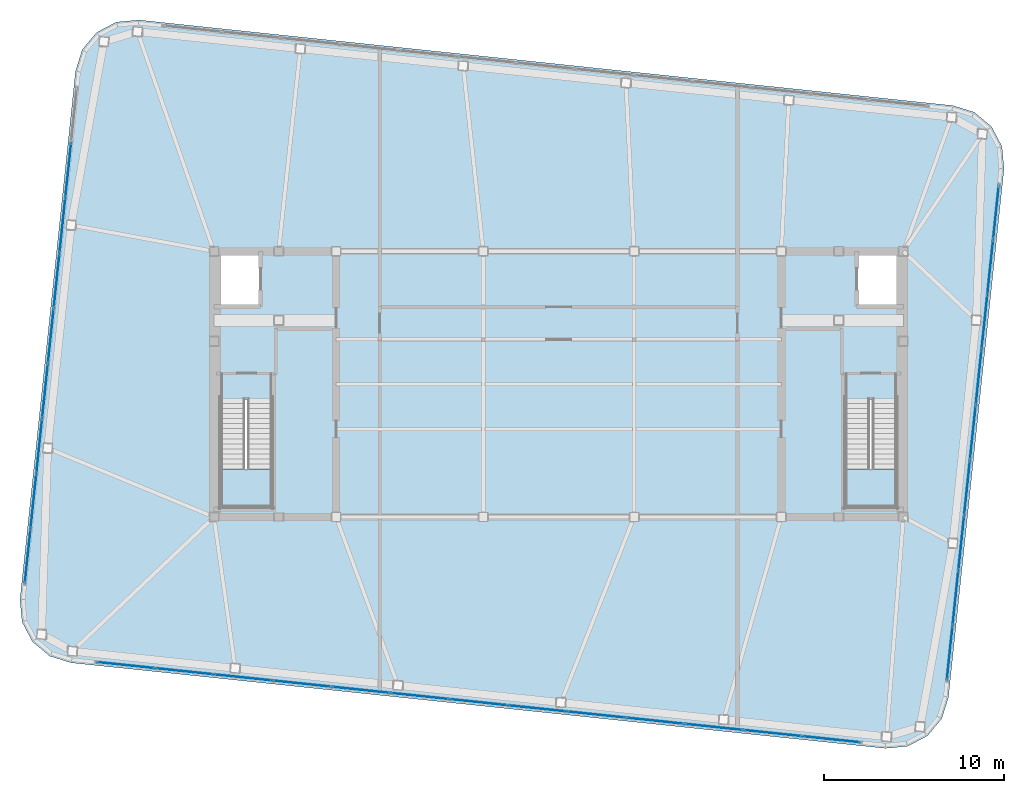
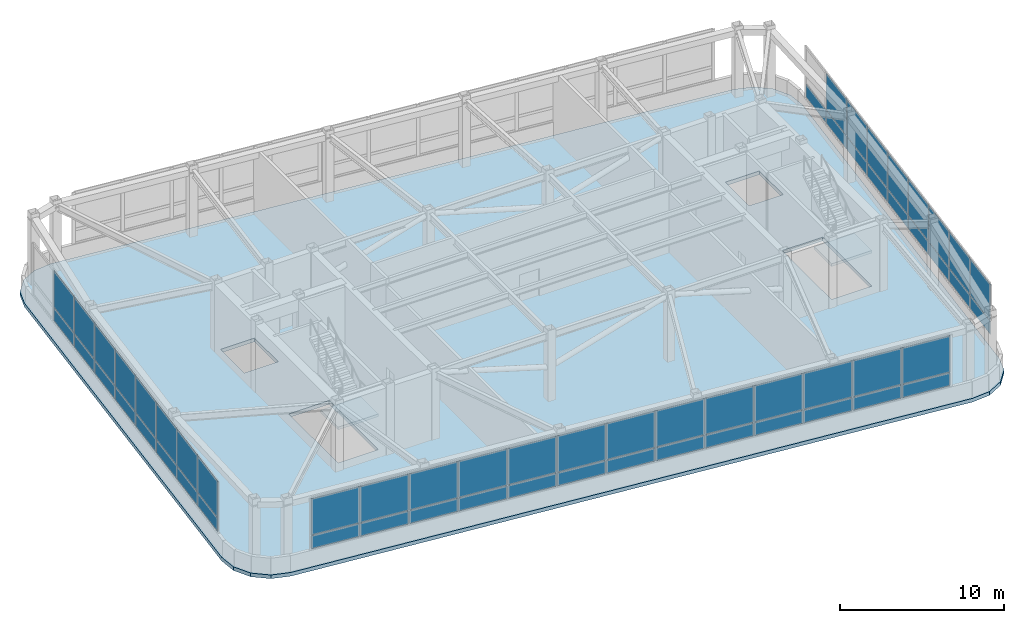
# One storey, part 18 of 23: 59 plates, 3 slabs, 5 elements without a shape of their own.
"""IFC4 building model written with IfcOpenShell, lengths in metres."""

from ifc_helpers import new_model, si_unit, direction, frame, origin, origin_2d, place, context, subcontext, project, spatial, polyline, rectangle, outline, extrude, material, layer, layer_set, type_object, element, aggregate, save


model = new_model("IFC4")

# Units and contexts
model_context = context("Model", 3, precision=1e-05, world=origin(), true_north=direction((0.0, 1.0)))
body_context = subcontext(model_context, "Body", "Model", "MODEL_VIEW")
ifc_project = project(units=[si_unit("LENGTHUNIT", "METRE"), si_unit("AREAUNIT", "SQUARE_METRE"), si_unit("VOLUMEUNIT", "CUBIC_METRE"), si_unit("PLANEANGLEUNIT", "RADIAN"), si_unit("MASSUNIT", "GRAM", prefix="KILO")], contexts=[model_context])

# Site, building, storey
site_placement = place(None, origin())
site = spatial("IfcSite", under=ifc_project, at=site_placement, CompositionType="ELEMENT")
building_placement = place(site_placement, origin())
building = spatial("IfcBuilding", under=site, at=building_placement, Name="Voryun Gate Residences", CompositionType="ELEMENT")
storey_placement = place(building_placement, frame((0.0, 0.0, 321.300048828125)))
storey = spatial("IfcBuildingStorey", under=building, at=storey_placement, Name="L79", CompositionType="ELEMENT", Elevation=321.300048828125)

# Curtain wall, plates
ifc_material_1 = material(Name="Anodised aluminium", Category="aluminium")
ifc_layer_1 = layer(ifc_material_1, 0.22998046875, Name="CW_SYS_LANTERN_DARK_GLASS")
ifc_layer_set_1 = layer_set([ifc_layer_1], Name="Anodised aluminium")
curtain_wall_type = type_object("IfcCurtainWallType", Name="CW_SYS_LANTERN_DARK_GLASS", PredefinedType="NOTDEFINED", material=ifc_layer_set_1)
curtain_wall_1_placement = place(storey_placement, origin())
curtain_wall_1 = element("IfcCurtainWall", 1, at=curtain_wall_1_placement, inside=storey, type_object=curtain_wall_type, Name="Curtain wall CW6-L79-01", PredefinedType="NOTDEFINED")
ifc_material_2 = material(Name="Fritted lantern glass", Category="glass")
ifc_layer_2 = layer(ifc_material_2, 0.050048828125, Name="PLT_GLASS_FRIT_LANTERN")
ifc_layer_set_2 = layer_set([ifc_layer_2], Name="Fritted lantern glass")
plate_type = type_object("IfcPlateType", Name="PLT_GLASS_FRIT_LANTERN", PredefinedType="CURTAIN_PANEL", material=ifc_layer_set_2)
plate_1_placement = place(storey_placement, frame((15.18212890625, -19.787109375, 1.25), z_axis=(0.0, 0.0, 1.0), x_axis=(-0.994521969434, 0.10452775858, 0.0)))
plate_1 = element("IfcPlate", 2, at=plate_1_placement, type_object=plate_type, Name="CW6 panel 1.1", PredefinedType="CURTAIN_PANEL", context=body_context, shape_type="SweptSolid", body=[
    extrude(rectangle(XDim=3.20458984375, YDim=0.028076171875, at=origin_2d()), origin(), (0.0, 0.0, 1.0), 0.9599609375),
])
plate_2_placement = place(storey_placement, frame((15.18212890625, -19.787109375, 2.27001953125), z_axis=(0.0, 0.0, 1.0), x_axis=(-0.994521969434, 0.10452775858, 0.0)))
plate_2 = element("IfcPlate", 3, at=plate_2_placement, type_object=plate_type, Name="CW6 panel 1.2", PredefinedType="CURTAIN_PANEL", context=body_context, shape_type="SweptSolid", body=[
    extrude(rectangle(XDim=3.20458984375, YDim=0.028076171875, at=origin_2d()), origin(), (0.0, 0.0, 1.0), 2.695068359375),
])
plate_3_placement = place(storey_placement, frame((11.92041015625, -19.4443359375, 1.25), z_axis=(0.0, 0.0, 1.0), x_axis=(-0.994521969434, 0.10452775858, 0.0)))
plate_3 = element("IfcPlate", 4, at=plate_3_placement, type_object=plate_type, Name="CW6 panel 2.1", PredefinedType="CURTAIN_PANEL", context=body_context, shape_type="SweptSolid", body=[
    extrude(rectangle(XDim=3.234619140625, YDim=0.028076171875, at=origin_2d()), origin(), (0.0, 0.0, 1.0), 0.9599609375),
])
plate_4_placement = place(storey_placement, frame((11.92041015625, -19.4443359375, 2.27001953125), z_axis=(0.0, 0.0, 1.0), x_axis=(-0.994521969434, 0.10452775858, 0.0)))
plate_4 = element("IfcPlate", 5, at=plate_4_placement, type_object=plate_type, Name="CW6 panel 2.2", PredefinedType="CURTAIN_PANEL", context=body_context, shape_type="SweptSolid", body=[
    extrude(rectangle(XDim=3.234619140625, YDim=0.028076171875, at=origin_2d()), origin(), (0.0, 0.0, 1.0), 2.695068359375),
])
plate_5_placement = place(storey_placement, frame((8.643798828125, -19.099853515625, 1.25), z_axis=(0.0, 0.0, 1.0), x_axis=(-0.994521969434, 0.10452775858, 0.0)))
plate_5 = element("IfcPlate", 6, at=plate_5_placement, type_object=plate_type, Name="CW6 panel 3.1", PredefinedType="CURTAIN_PANEL", context=body_context, shape_type="SweptSolid", body=[
    extrude(rectangle(XDim=3.234619140625, YDim=0.028076171875, at=origin_2d()), origin(), (0.0, 0.0, 1.0), 0.9599609375),
])
plate_6_placement = place(storey_placement, frame((8.643798828125, -19.099853515625, 2.27001953125), z_axis=(0.0, 0.0, 1.0), x_axis=(-0.994521969434, 0.10452775858, 0.0)))
plate_6 = element("IfcPlate", 7, at=plate_6_placement, type_object=plate_type, Name="CW6 panel 3.2", PredefinedType="CURTAIN_PANEL", context=body_context, shape_type="SweptSolid", body=[
    extrude(rectangle(XDim=3.234619140625, YDim=0.028076171875, at=origin_2d()), origin(), (0.0, 0.0, 1.0), 2.695068359375),
])
plate_7_placement = place(storey_placement, frame((5.3671875, -18.755615234375, 1.25), z_axis=(0.0, 0.0, 1.0), x_axis=(-0.994521969434, 0.10452775858, 0.0)))
plate_7 = element("IfcPlate", 8, at=plate_7_placement, type_object=plate_type, Name="CW6 panel 4.1", PredefinedType="CURTAIN_PANEL", context=body_context, shape_type="SweptSolid", body=[
    extrude(rectangle(XDim=3.234619140625, YDim=0.028076171875, at=origin_2d()), origin(), (0.0, 0.0, 1.0), 0.9599609375),
])
plate_8_placement = place(storey_placement, frame((5.3671875, -18.755615234375, 2.27001953125), z_axis=(0.0, 0.0, 1.0), x_axis=(-0.994521969434, 0.10452775858, 0.0)))
plate_8 = element("IfcPlate", 9, at=plate_8_placement, type_object=plate_type, Name="CW6 panel 4.2", PredefinedType="CURTAIN_PANEL", context=body_context, shape_type="SweptSolid", body=[
    extrude(rectangle(XDim=3.234619140625, YDim=0.028076171875, at=origin_2d()), origin(), (0.0, 0.0, 1.0), 2.695068359375),
])
plate_9_placement = place(storey_placement, frame((2.090576171875, -18.4111328125, 1.25), z_axis=(0.0, 0.0, 1.0), x_axis=(-0.994521969434, 0.10452775858, 0.0)))
plate_9 = element("IfcPlate", 10, at=plate_9_placement, type_object=plate_type, Name="CW6 panel 5.1", PredefinedType="CURTAIN_PANEL", context=body_context, shape_type="SweptSolid", body=[
    extrude(rectangle(XDim=3.234619140625, YDim=0.028076171875, at=origin_2d()), origin(), (0.0, 0.0, 1.0), 0.9599609375),
])
plate_10_placement = place(storey_placement, frame((2.090576171875, -18.4111328125, 2.27001953125), z_axis=(0.0, 0.0, 1.0), x_axis=(-0.994521969434, 0.10452775858, 0.0)))
plate_10 = element("IfcPlate", 11, at=plate_10_placement, type_object=plate_type, Name="CW6 panel 5.2", PredefinedType="CURTAIN_PANEL", context=body_context, shape_type="SweptSolid", body=[
    extrude(rectangle(XDim=3.234619140625, YDim=0.028076171875, at=origin_2d()), origin(), (0.0, 0.0, 1.0), 2.695068359375),
])
plate_11_placement = place(storey_placement, frame((-1.18603515625, -18.06689453125, 1.25), z_axis=(0.0, 0.0, 1.0), x_axis=(-0.994521969434, 0.10452775858, 0.0)))
plate_11 = element("IfcPlate", 12, at=plate_11_placement, type_object=plate_type, Name="CW6 panel 6.1", PredefinedType="CURTAIN_PANEL", context=body_context, shape_type="SweptSolid", body=[
    extrude(rectangle(XDim=3.234619140625, YDim=0.028076171875, at=origin_2d()), origin(), (0.0, 0.0, 1.0), 0.9599609375),
])
plate_12_placement = place(storey_placement, frame((-1.18603515625, -18.06689453125, 2.27001953125), z_axis=(0.0, 0.0, 1.0), x_axis=(-0.994521969434, 0.10452775858, 0.0)))
plate_12 = element("IfcPlate", 13, at=plate_12_placement, type_object=plate_type, Name="CW6 panel 6.2", PredefinedType="CURTAIN_PANEL", context=body_context, shape_type="SweptSolid", body=[
    extrude(rectangle(XDim=3.234619140625, YDim=0.028076171875, at=origin_2d()), origin(), (0.0, 0.0, 1.0), 2.695068359375),
])
plate_13_placement = place(storey_placement, frame((-4.462646484375, -17.722412109375, 1.25), z_axis=(0.0, 0.0, 1.0), x_axis=(-0.994521969434, 0.10452775858, 0.0)))
plate_13 = element("IfcPlate", 14, at=plate_13_placement, type_object=plate_type, Name="CW6 panel 7.1", PredefinedType="CURTAIN_PANEL", context=body_context, shape_type="SweptSolid", body=[
    extrude(rectangle(XDim=3.234619140625, YDim=0.028076171875, at=origin_2d()), origin(), (0.0, 0.0, 1.0), 0.9599609375),
])
plate_14_placement = place(storey_placement, frame((-4.462646484375, -17.722412109375, 2.27001953125), z_axis=(0.0, 0.0, 1.0), x_axis=(-0.994521969434, 0.10452775858, 0.0)))
plate_14 = element("IfcPlate", 15, at=plate_14_placement, type_object=plate_type, Name="CW6 panel 7.2", PredefinedType="CURTAIN_PANEL", context=body_context, shape_type="SweptSolid", body=[
    extrude(rectangle(XDim=3.234619140625, YDim=0.028076171875, at=origin_2d()), origin(), (0.0, 0.0, 1.0), 2.695068359375),
])
plate_15_placement = place(storey_placement, frame((-7.7392578125, -17.3779296875, 1.25), z_axis=(0.0, 0.0, 1.0), x_axis=(-0.994521969434, 0.10452775858, 0.0)))
plate_15 = element("IfcPlate", 16, at=plate_15_placement, type_object=plate_type, Name="CW6 panel 8.1", PredefinedType="CURTAIN_PANEL", context=body_context, shape_type="SweptSolid", body=[
    extrude(rectangle(XDim=3.234619140625, YDim=0.028076171875, at=origin_2d()), origin(), (0.0, 0.0, 1.0), 0.9599609375),
])
plate_16_placement = place(storey_placement, frame((-7.7392578125, -17.3779296875, 2.27001953125), z_axis=(0.0, 0.0, 1.0), x_axis=(-0.994521969434, 0.10452775858, 0.0)))
plate_16 = element("IfcPlate", 17, at=plate_16_placement, type_object=plate_type, Name="CW6 panel 8.2", PredefinedType="CURTAIN_PANEL", context=body_context, shape_type="SweptSolid", body=[
    extrude(rectangle(XDim=3.234619140625, YDim=0.028076171875, at=origin_2d()), origin(), (0.0, 0.0, 1.0), 2.695068359375),
])
plate_17_placement = place(storey_placement, frame((-11.015869140625, -17.03369140625, 1.25), z_axis=(0.0, 0.0, 1.0), x_axis=(-0.994521969434, 0.10452775858, 0.0)))
plate_17 = element("IfcPlate", 18, at=plate_17_placement, type_object=plate_type, Name="CW6 panel 9.1", PredefinedType="CURTAIN_PANEL", context=body_context, shape_type="SweptSolid", body=[
    extrude(rectangle(XDim=3.234619140625, YDim=0.028076171875, at=origin_2d()), origin(), (0.0, 0.0, 1.0), 0.9599609375),
])
plate_18_placement = place(storey_placement, frame((-11.015869140625, -17.03369140625, 2.27001953125), z_axis=(0.0, 0.0, 1.0), x_axis=(-0.994521969434, 0.10452775858, 0.0)))
plate_18 = element("IfcPlate", 19, at=plate_18_placement, type_object=plate_type, Name="CW6 panel 9.2", PredefinedType="CURTAIN_PANEL", context=body_context, shape_type="SweptSolid", body=[
    extrude(rectangle(XDim=3.234619140625, YDim=0.028076171875, at=origin_2d()), origin(), (0.0, 0.0, 1.0), 2.695068359375),
])
plate_19_placement = place(storey_placement, frame((-14.29248046875, -16.689208984375, 1.25), z_axis=(0.0, 0.0, 1.0), x_axis=(-0.994521969434, 0.10452775858, 0.0)))
plate_19 = element("IfcPlate", 20, at=plate_19_placement, type_object=plate_type, Name="CW6 panel 10.1", PredefinedType="CURTAIN_PANEL", context=body_context, shape_type="SweptSolid", body=[
    extrude(rectangle(XDim=3.234619140625, YDim=0.028076171875, at=origin_2d()), origin(), (0.0, 0.0, 1.0), 0.9599609375),
])
plate_20_placement = place(storey_placement, frame((-14.29248046875, -16.689208984375, 2.27001953125), z_axis=(0.0, 0.0, 1.0), x_axis=(-0.994521969434, 0.10452775858, 0.0)))
plate_20 = element("IfcPlate", 21, at=plate_20_placement, type_object=plate_type, Name="CW6 panel 10.2", PredefinedType="CURTAIN_PANEL", context=body_context, shape_type="SweptSolid", body=[
    extrude(rectangle(XDim=3.234619140625, YDim=0.028076171875, at=origin_2d()), origin(), (0.0, 0.0, 1.0), 2.695068359375),
])
plate_21_placement = place(storey_placement, frame((-17.569091796875, -16.344970703125, 1.25), z_axis=(0.0, 0.0, 1.0), x_axis=(-0.994521969434, 0.10452775858, 0.0)))
plate_21 = element("IfcPlate", 22, at=plate_21_placement, type_object=plate_type, Name="CW6 panel 11.1", PredefinedType="CURTAIN_PANEL", context=body_context, shape_type="SweptSolid", body=[
    extrude(rectangle(XDim=3.234619140625, YDim=0.028076171875, at=origin_2d()), origin(), (0.0, 0.0, 1.0), 0.9599609375),
])
plate_22_placement = place(storey_placement, frame((-17.569091796875, -16.344970703125, 2.27001953125), z_axis=(0.0, 0.0, 1.0), x_axis=(-0.994521969434, 0.10452775858, 0.0)))
plate_22 = element("IfcPlate", 23, at=plate_22_placement, type_object=plate_type, Name="CW6 panel 11.2", PredefinedType="CURTAIN_PANEL", context=body_context, shape_type="SweptSolid", body=[
    extrude(rectangle(XDim=3.234619140625, YDim=0.028076171875, at=origin_2d()), origin(), (0.0, 0.0, 1.0), 2.695068359375),
])
plate_23_placement = place(storey_placement, frame((-20.845703125, -16.00048828125, 1.25), z_axis=(0.0, 0.0, 1.0), x_axis=(-0.994521969434, 0.10452775858, 0.0)))
plate_23 = element("IfcPlate", 24, at=plate_23_placement, type_object=plate_type, Name="CW6 panel 12.1", PredefinedType="CURTAIN_PANEL", context=body_context, shape_type="SweptSolid", body=[
    extrude(rectangle(XDim=3.234619140625, YDim=0.028076171875, at=origin_2d()), origin(), (0.0, 0.0, 1.0), 0.9599609375),
])
plate_24_placement = place(storey_placement, frame((-20.845703125, -16.00048828125, 2.27001953125), z_axis=(0.0, 0.0, 1.0), x_axis=(-0.994521969434, 0.10452775858, 0.0)))
plate_24 = element("IfcPlate", 25, at=plate_24_placement, type_object=plate_type, Name="CW6 panel 12.2", PredefinedType="CURTAIN_PANEL", context=body_context, shape_type="SweptSolid", body=[
    extrude(rectangle(XDim=3.234619140625, YDim=0.028076171875, at=origin_2d()), origin(), (0.0, 0.0, 1.0), 2.695068359375),
])
plate_25_placement = place(storey_placement, frame((-24.107421875, -15.65771484375, 1.25), z_axis=(0.0, 0.0, 1.0), x_axis=(-0.994521969434, 0.10452775858, 0.0)))
plate_25 = element("IfcPlate", 26, at=plate_25_placement, type_object=plate_type, Name="CW6 panel 13.1", PredefinedType="CURTAIN_PANEL", context=body_context, shape_type="SweptSolid", body=[
    extrude(rectangle(XDim=3.20458984375, YDim=0.028076171875, at=origin_2d()), origin(), (0.0, 0.0, 1.0), 0.9599609375),
])
plate_26_placement = place(storey_placement, frame((-24.107421875, -15.65771484375, 2.27001953125), z_axis=(0.0, 0.0, 1.0), x_axis=(-0.994521969434, 0.10452775858, 0.0)))
plate_26 = element("IfcPlate", 27, at=plate_26_placement, type_object=plate_type, Name="CW6 panel 13.2", PredefinedType="CURTAIN_PANEL", context=body_context, shape_type="SweptSolid", body=[
    extrude(rectangle(XDim=3.20458984375, YDim=0.028076171875, at=origin_2d()), origin(), (0.0, 0.0, 1.0), 2.695068359375),
])
aggregate(curtain_wall_1, [plate_1, plate_2, plate_3, plate_4, plate_5, plate_6, plate_7, plate_8, plate_9, plate_10, plate_11, plate_12, plate_13, plate_14, plate_15, plate_16, plate_17, plate_18, plate_19, plate_20, plate_21, plate_22, plate_23, plate_24, plate_25, plate_26])

curtain_wall_2_placement = place(storey_placement, origin())
curtain_wall_2 = element("IfcCurtainWall", 28, at=curtain_wall_2_placement, inside=storey, type_object=curtain_wall_type, Name="Curtain wall CW6-L79-06", PredefinedType="NOTDEFINED")
plate_27_placement = place(storey_placement, frame((-29.568115234375, -9.56982421875, 1.25), z_axis=(0.0, 0.0, 1.0), x_axis=(0.104528004296, 0.994521943608, 0.0)))
plate_27 = element("IfcPlate", 29, at=plate_27_placement, type_object=plate_type, Name="CW6 panel 1.1", PredefinedType="CURTAIN_PANEL", context=body_context, shape_type="SweptSolid", body=[
    extrude(rectangle(XDim=2.997802734375, YDim=0.028076171875, at=origin_2d()), origin(), (0.0, 0.0, 1.0), 0.9599609375),
])
plate_28_placement = place(storey_placement, frame((-29.568115234375, -9.56982421875, 2.27001953125), z_axis=(0.0, 0.0, 1.0), x_axis=(0.104528004296, 0.994521943608, 0.0)))
plate_28 = element("IfcPlate", 30, at=plate_28_placement, type_object=plate_type, Name="CW6 panel 1.2", PredefinedType="CURTAIN_PANEL", context=body_context, shape_type="SweptSolid", body=[
    extrude(rectangle(XDim=2.997802734375, YDim=0.028076171875, at=origin_2d()), origin(), (0.0, 0.0, 1.0), 2.695068359375),
])
plate_29_placement = place(storey_placement, frame((-29.246826171875, -6.513916015625, 1.25), z_axis=(0.0, 0.0, 1.0), x_axis=(0.104528004296, 0.994521943608, 0.0)))
plate_29 = element("IfcPlate", 31, at=plate_29_placement, type_object=plate_type, Name="CW6 panel 2.1", PredefinedType="CURTAIN_PANEL", context=body_context, shape_type="SweptSolid", body=[
    extrude(rectangle(XDim=3.02783203125, YDim=0.028076171875, at=origin_2d()), origin(), (0.0, 0.0, 1.0), 0.9599609375),
])
plate_30_placement = place(storey_placement, frame((-29.246826171875, -6.513916015625, 2.27001953125), z_axis=(0.0, 0.0, 1.0), x_axis=(0.104528004296, 0.994521943608, 0.0)))
plate_30 = element("IfcPlate", 32, at=plate_30_placement, type_object=plate_type, Name="CW6 panel 2.2", PredefinedType="CURTAIN_PANEL", context=body_context, shape_type="SweptSolid", body=[
    extrude(rectangle(XDim=3.02783203125, YDim=0.028076171875, at=origin_2d()), origin(), (0.0, 0.0, 1.0), 2.695068359375),
])
plate_31_placement = place(storey_placement, frame((-28.924072265625, -3.44287109375, 1.25), z_axis=(0.0, 0.0, 1.0), x_axis=(0.104528004296, 0.994521943608, 0.0)))
plate_31 = element("IfcPlate", 33, at=plate_31_placement, type_object=plate_type, Name="CW6 panel 3.1", PredefinedType="CURTAIN_PANEL", context=body_context, shape_type="SweptSolid", body=[
    extrude(rectangle(XDim=3.02783203125, YDim=0.028076171875, at=origin_2d()), origin(), (0.0, 0.0, 1.0), 0.9599609375),
])
plate_32_placement = place(storey_placement, frame((-28.924072265625, -3.44287109375, 2.27001953125), z_axis=(0.0, 0.0, 1.0), x_axis=(0.104528004296, 0.994521943608, 0.0)))
plate_32 = element("IfcPlate", 34, at=plate_32_placement, type_object=plate_type, Name="CW6 panel 3.2", PredefinedType="CURTAIN_PANEL", context=body_context, shape_type="SweptSolid", body=[
    extrude(rectangle(XDim=3.02783203125, YDim=0.028076171875, at=origin_2d()), origin(), (0.0, 0.0, 1.0), 2.695068359375),
])
plate_33_placement = place(storey_placement, frame((-28.601318359375, -0.3720703125, 1.25), z_axis=(0.0, 0.0, 1.0), x_axis=(0.104528004296, 0.994521943608, 0.0)))
plate_33 = element("IfcPlate", 35, at=plate_33_placement, type_object=plate_type, Name="CW6 panel 4.1", PredefinedType="CURTAIN_PANEL", context=body_context, shape_type="SweptSolid", body=[
    extrude(rectangle(XDim=3.02783203125, YDim=0.028076171875, at=origin_2d()), origin(), (0.0, 0.0, 1.0), 0.9599609375),
])
plate_34_placement = place(storey_placement, frame((-28.601318359375, -0.3720703125, 2.27001953125), z_axis=(0.0, 0.0, 1.0), x_axis=(0.104528004296, 0.994521943608, 0.0)))
plate_34 = element("IfcPlate", 36, at=plate_34_placement, type_object=plate_type, Name="CW6 panel 4.2", PredefinedType="CURTAIN_PANEL", context=body_context, shape_type="SweptSolid", body=[
    extrude(rectangle(XDim=3.02783203125, YDim=0.028076171875, at=origin_2d()), origin(), (0.0, 0.0, 1.0), 2.695068359375),
])
plate_35_placement = place(storey_placement, frame((-28.278564453125, 2.698974609375, 1.25), z_axis=(0.0, 0.0, 1.0), x_axis=(0.104528004296, 0.994521943608, 0.0)))
plate_35 = element("IfcPlate", 37, at=plate_35_placement, type_object=plate_type, Name="CW6 panel 5.1", PredefinedType="CURTAIN_PANEL", context=body_context, shape_type="SweptSolid", body=[
    extrude(rectangle(XDim=3.02783203125, YDim=0.028076171875, at=origin_2d()), origin(), (0.0, 0.0, 1.0), 0.9599609375),
])
plate_36_placement = place(storey_placement, frame((-28.278564453125, 2.698974609375, 2.27001953125), z_axis=(0.0, 0.0, 1.0), x_axis=(0.104528004296, 0.994521943608, 0.0)))
plate_36 = element("IfcPlate", 38, at=plate_36_placement, type_object=plate_type, Name="CW6 panel 5.2", PredefinedType="CURTAIN_PANEL", context=body_context, shape_type="SweptSolid", body=[
    extrude(rectangle(XDim=3.02783203125, YDim=0.028076171875, at=origin_2d()), origin(), (0.0, 0.0, 1.0), 2.695068359375),
])
plate_37_placement = place(storey_placement, frame((-27.955810546875, 5.769775390625, 1.25), z_axis=(0.0, 0.0, 1.0), x_axis=(0.104528004296, 0.994521943608, 0.0)))
plate_37 = element("IfcPlate", 39, at=plate_37_placement, type_object=plate_type, Name="CW6 panel 6.1", PredefinedType="CURTAIN_PANEL", context=body_context, shape_type="SweptSolid", body=[
    extrude(rectangle(XDim=3.02783203125, YDim=0.028076171875, at=origin_2d()), origin(), (0.0, 0.0, 1.0), 0.9599609375),
])
plate_38_placement = place(storey_placement, frame((-27.955810546875, 5.769775390625, 2.27001953125), z_axis=(0.0, 0.0, 1.0), x_axis=(0.104528004296, 0.994521943608, 0.0)))
plate_38 = element("IfcPlate", 40, at=plate_38_placement, type_object=plate_type, Name="CW6 panel 6.2", PredefinedType="CURTAIN_PANEL", context=body_context, shape_type="SweptSolid", body=[
    extrude(rectangle(XDim=3.02783203125, YDim=0.028076171875, at=origin_2d()), origin(), (0.0, 0.0, 1.0), 2.695068359375),
])
plate_39_placement = place(storey_placement, frame((-27.633056640625, 8.8408203125, 1.25), z_axis=(0.0, 0.0, 1.0), x_axis=(0.104528004296, 0.994521943608, 0.0)))
plate_39 = element("IfcPlate", 41, at=plate_39_placement, type_object=plate_type, Name="CW6 panel 7.1", PredefinedType="CURTAIN_PANEL", context=body_context, shape_type="SweptSolid", body=[
    extrude(rectangle(XDim=3.02783203125, YDim=0.028076171875, at=origin_2d()), origin(), (0.0, 0.0, 1.0), 0.9599609375),
])
plate_40_placement = place(storey_placement, frame((-27.633056640625, 8.8408203125, 2.27001953125), z_axis=(0.0, 0.0, 1.0), x_axis=(0.104528004296, 0.994521943608, 0.0)))
plate_40 = element("IfcPlate", 42, at=plate_40_placement, type_object=plate_type, Name="CW6 panel 7.2", PredefinedType="CURTAIN_PANEL", context=body_context, shape_type="SweptSolid", body=[
    extrude(rectangle(XDim=3.02783203125, YDim=0.028076171875, at=origin_2d()), origin(), (0.0, 0.0, 1.0), 2.695068359375),
])
plate_41_placement = place(storey_placement, frame((-27.310302734375, 11.91162109375, 1.25), z_axis=(0.0, 0.0, 1.0), x_axis=(0.104528004296, 0.994521943608, 0.0)))
plate_41 = element("IfcPlate", 43, at=plate_41_placement, type_object=plate_type, Name="CW6 panel 8.1", PredefinedType="CURTAIN_PANEL", context=body_context, shape_type="SweptSolid", body=[
    extrude(rectangle(XDim=3.02783203125, YDim=0.028076171875, at=origin_2d()), origin(), (0.0, 0.0, 1.0), 0.9599609375),
])
plate_42_placement = place(storey_placement, frame((-27.310302734375, 11.91162109375, 2.27001953125), z_axis=(0.0, 0.0, 1.0), x_axis=(0.104528004296, 0.994521943608, 0.0)))
plate_42 = element("IfcPlate", 44, at=plate_42_placement, type_object=plate_type, Name="CW6 panel 8.2", PredefinedType="CURTAIN_PANEL", context=body_context, shape_type="SweptSolid", body=[
    extrude(rectangle(XDim=3.02783203125, YDim=0.028076171875, at=origin_2d()), origin(), (0.0, 0.0, 1.0), 2.695068359375),
])
aggregate(curtain_wall_2, [plate_27, plate_28, plate_29, plate_30, plate_31, plate_32, plate_33, plate_34, plate_35, plate_36, plate_37, plate_38, plate_39, plate_40, plate_41, plate_42])

curtain_wall_3_placement = place(storey_placement, origin())
curtain_wall_3 = element("IfcCurtainWall", 45, at=curtain_wall_3_placement, inside=storey, type_object=curtain_wall_type, Name="Curtain wall CW6-L79-16", PredefinedType="NOTDEFINED")
plate_43_placement = place(storey_placement, frame((24.3681640625, 9.56982421875, 1.25), z_axis=(0.0, 0.0, 1.0), x_axis=(-0.104528004296, -0.994521943608, 0.0)))
plate_43 = element("IfcPlate", 46, at=plate_43_placement, type_object=plate_type, Name="CW6 panel 1.1", PredefinedType="CURTAIN_PANEL", context=body_context, shape_type="SweptSolid", body=[
    extrude(rectangle(XDim=2.997802734375, YDim=0.028076171875, at=origin_2d()), origin(), (0.0, 0.0, 1.0), 0.9599609375),
])
plate_44_placement = place(storey_placement, frame((24.046875, 6.513916015625, 1.25), z_axis=(0.0, 0.0, 1.0), x_axis=(-0.104528004296, -0.994521943608, 0.0)))
plate_44 = element("IfcPlate", 47, at=plate_44_placement, type_object=plate_type, Name="CW6 panel 2.1", PredefinedType="CURTAIN_PANEL", context=body_context, shape_type="SweptSolid", body=[
    extrude(rectangle(XDim=3.02783203125, YDim=0.028076171875, at=origin_2d()), origin(), (0.0, 0.0, 1.0), 0.9599609375),
])
plate_45_placement = place(storey_placement, frame((24.046875, 6.513916015625, 2.27001953125), z_axis=(0.0, 0.0, 1.0), x_axis=(-0.104528004296, -0.994521943608, 0.0)))
plate_45 = element("IfcPlate", 48, at=plate_45_placement, type_object=plate_type, Name="CW6 panel 2.2", PredefinedType="CURTAIN_PANEL", context=body_context, shape_type="SweptSolid", body=[
    extrude(rectangle(XDim=3.02783203125, YDim=0.028076171875, at=origin_2d()), origin(), (0.0, 0.0, 1.0), 2.695068359375),
])
plate_46_placement = place(storey_placement, frame((23.72412109375, 3.44287109375, 1.25), z_axis=(0.0, 0.0, 1.0), x_axis=(-0.104528004296, -0.994521943608, 0.0)))
plate_46 = element("IfcPlate", 49, at=plate_46_placement, type_object=plate_type, Name="CW6 panel 3.1", PredefinedType="CURTAIN_PANEL", context=body_context, shape_type="SweptSolid", body=[
    extrude(rectangle(XDim=3.02783203125, YDim=0.028076171875, at=origin_2d()), origin(), (0.0, 0.0, 1.0), 0.9599609375),
])
plate_47_placement = place(storey_placement, frame((23.72412109375, 3.44287109375, 2.27001953125), z_axis=(0.0, 0.0, 1.0), x_axis=(-0.104528004296, -0.994521943608, 0.0)))
plate_47 = element("IfcPlate", 50, at=plate_47_placement, type_object=plate_type, Name="CW6 panel 3.2", PredefinedType="CURTAIN_PANEL", context=body_context, shape_type="SweptSolid", body=[
    extrude(rectangle(XDim=3.02783203125, YDim=0.028076171875, at=origin_2d()), origin(), (0.0, 0.0, 1.0), 2.695068359375),
])
plate_48_placement = place(storey_placement, frame((23.4013671875, 0.3720703125, 1.25), z_axis=(0.0, 0.0, 1.0), x_axis=(-0.104528004296, -0.994521943608, 0.0)))
plate_48 = element("IfcPlate", 51, at=plate_48_placement, type_object=plate_type, Name="CW6 panel 4.1", PredefinedType="CURTAIN_PANEL", context=body_context, shape_type="SweptSolid", body=[
    extrude(rectangle(XDim=3.02783203125, YDim=0.028076171875, at=origin_2d()), origin(), (0.0, 0.0, 1.0), 0.9599609375),
])
plate_49_placement = place(storey_placement, frame((23.4013671875, 0.3720703125, 2.27001953125), z_axis=(0.0, 0.0, 1.0), x_axis=(-0.104528004296, -0.994521943608, 0.0)))
plate_49 = element("IfcPlate", 52, at=plate_49_placement, type_object=plate_type, Name="CW6 panel 4.2", PredefinedType="CURTAIN_PANEL", context=body_context, shape_type="SweptSolid", body=[
    extrude(rectangle(XDim=3.02783203125, YDim=0.028076171875, at=origin_2d()), origin(), (0.0, 0.0, 1.0), 2.695068359375),
])
plate_50_placement = place(storey_placement, frame((23.07861328125, -2.698974609375, 1.25), z_axis=(0.0, 0.0, 1.0), x_axis=(-0.104528004296, -0.994521943608, 0.0)))
plate_50 = element("IfcPlate", 53, at=plate_50_placement, type_object=plate_type, Name="CW6 panel 5.1", PredefinedType="CURTAIN_PANEL", context=body_context, shape_type="SweptSolid", body=[
    extrude(rectangle(XDim=3.02783203125, YDim=0.028076171875, at=origin_2d()), origin(), (0.0, 0.0, 1.0), 0.9599609375),
])
plate_51_placement = place(storey_placement, frame((23.07861328125, -2.698974609375, 2.27001953125), z_axis=(0.0, 0.0, 1.0), x_axis=(-0.104528004296, -0.994521943608, 0.0)))
plate_51 = element("IfcPlate", 54, at=plate_51_placement, type_object=plate_type, Name="CW6 panel 5.2", PredefinedType="CURTAIN_PANEL", context=body_context, shape_type="SweptSolid", body=[
    extrude(rectangle(XDim=3.02783203125, YDim=0.028076171875, at=origin_2d()), origin(), (0.0, 0.0, 1.0), 2.695068359375),
])
plate_52_placement = place(storey_placement, frame((22.755859375, -5.769775390625, 1.25), z_axis=(0.0, 0.0, 1.0), x_axis=(-0.104528004296, -0.994521943608, 0.0)))
plate_52 = element("IfcPlate", 55, at=plate_52_placement, type_object=plate_type, Name="CW6 panel 6.1", PredefinedType="CURTAIN_PANEL", context=body_context, shape_type="SweptSolid", body=[
    extrude(rectangle(XDim=3.02783203125, YDim=0.028076171875, at=origin_2d()), origin(), (0.0, 0.0, 1.0), 0.9599609375),
])
plate_53_placement = place(storey_placement, frame((22.755859375, -5.769775390625, 2.27001953125), z_axis=(0.0, 0.0, 1.0), x_axis=(-0.104528004296, -0.994521943608, 0.0)))
plate_53 = element("IfcPlate", 56, at=plate_53_placement, type_object=plate_type, Name="CW6 panel 6.2", PredefinedType="CURTAIN_PANEL", context=body_context, shape_type="SweptSolid", body=[
    extrude(rectangle(XDim=3.02783203125, YDim=0.028076171875, at=origin_2d()), origin(), (0.0, 0.0, 1.0), 2.695068359375),
])
plate_54_placement = place(storey_placement, frame((22.43310546875, -8.8408203125, 1.25), z_axis=(0.0, 0.0, 1.0), x_axis=(-0.104528004296, -0.994521943608, 0.0)))
plate_54 = element("IfcPlate", 57, at=plate_54_placement, type_object=plate_type, Name="CW6 panel 7.1", PredefinedType="CURTAIN_PANEL", context=body_context, shape_type="SweptSolid", body=[
    extrude(rectangle(XDim=3.02783203125, YDim=0.028076171875, at=origin_2d()), origin(), (0.0, 0.0, 1.0), 0.9599609375),
])
plate_55_placement = place(storey_placement, frame((22.43310546875, -8.8408203125, 2.27001953125), z_axis=(0.0, 0.0, 1.0), x_axis=(-0.104528004296, -0.994521943608, 0.0)))
plate_55 = element("IfcPlate", 58, at=plate_55_placement, type_object=plate_type, Name="CW6 panel 7.2", PredefinedType="CURTAIN_PANEL", context=body_context, shape_type="SweptSolid", body=[
    extrude(rectangle(XDim=3.02783203125, YDim=0.028076171875, at=origin_2d()), origin(), (0.0, 0.0, 1.0), 2.695068359375),
])
plate_56_placement = place(storey_placement, frame((22.1103515625, -11.91162109375, 1.25), z_axis=(0.0, 0.0, 1.0), x_axis=(-0.104528004296, -0.994521943608, 0.0)))
plate_56 = element("IfcPlate", 59, at=plate_56_placement, type_object=plate_type, Name="CW6 panel 8.1", PredefinedType="CURTAIN_PANEL", context=body_context, shape_type="SweptSolid", body=[
    extrude(rectangle(XDim=3.02783203125, YDim=0.028076171875, at=origin_2d()), origin(), (0.0, 0.0, 1.0), 0.9599609375),
])
plate_57_placement = place(storey_placement, frame((22.1103515625, -11.91162109375, 2.27001953125), z_axis=(0.0, 0.0, 1.0), x_axis=(-0.104528004296, -0.994521943608, 0.0)))
plate_57 = element("IfcPlate", 60, at=plate_57_placement, type_object=plate_type, Name="CW6 panel 8.2", PredefinedType="CURTAIN_PANEL", context=body_context, shape_type="SweptSolid", body=[
    extrude(rectangle(XDim=3.02783203125, YDim=0.028076171875, at=origin_2d()), origin(), (0.0, 0.0, 1.0), 2.695068359375),
])
plate_58_placement = place(storey_placement, frame((21.7890625, -14.9677734375, 1.25), z_axis=(0.0, 0.0, 1.0), x_axis=(-0.104528004296, -0.994521943608, 0.0)))
plate_58 = element("IfcPlate", 61, at=plate_58_placement, type_object=plate_type, Name="CW6 panel 9.1", PredefinedType="CURTAIN_PANEL", context=body_context, shape_type="SweptSolid", body=[
    extrude(rectangle(XDim=2.997802734375, YDim=0.028076171875, at=origin_2d()), origin(), (0.0, 0.0, 1.0), 0.9599609375),
])
plate_59_placement = place(storey_placement, frame((21.7890625, -14.9677734375, 2.27001953125), z_axis=(0.0, 0.0, 1.0), x_axis=(-0.104528004296, -0.994521943608, 0.0)))
plate_59 = element("IfcPlate", 62, at=plate_59_placement, type_object=plate_type, Name="CW6 panel 9.2", PredefinedType="CURTAIN_PANEL", context=body_context, shape_type="SweptSolid", body=[
    extrude(rectangle(XDim=2.997802734375, YDim=0.028076171875, at=origin_2d()), origin(), (0.0, 0.0, 1.0), 2.695068359375),
])
aggregate(curtain_wall_3, [plate_43, plate_44, plate_45, plate_46, plate_47, plate_48, plate_49, plate_50, plate_51, plate_52, plate_53, plate_54, plate_55, plate_56, plate_57, plate_58, plate_59])

# Slab
ifc_material_3 = material(Name="Concrete C50/60", Category="concrete")
ifc_layer_3 = layer(ifc_material_3, 0.27490234375, Name="SLB_CROWN_275")
ifc_layer_set_3 = layer_set([ifc_layer_3], Name="Concrete C50/60")
slab_type_1 = type_object("IfcSlabType", Name="SLB_CROWN_275", PredefinedType="FLOOR", material=ifc_layer_set_3)
slab_1_placement = place(storey_placement, frame((0.0, 0.0, -0.275146484375)))
element("IfcSlab", 63, at=slab_1_placement, inside=storey, type_object=slab_type_1, Name="L79 Structural Floor Slab", PredefinedType="FLOOR", context=body_context, shape_type="SweptSolid", body=[
    extrude(outline(polyline([(-27.156494140625, -15.51806640625), (-28.34912109375, -15.14794921875), (-29.30908203125, -14.349609375), (-29.890380859375, -13.24462890625), (-30.004638671875, -12.001220703125), (-26.91064453125, 17.436767578125), (-26.540283203125, 18.629150390625), (-25.741943359375, 19.589111328125), (-24.636962890625, 20.17041015625), (-23.3935546875, 20.28466796875), (21.95654296875, 15.51806640625), (23.14892578125, 15.14794921875), (24.10888671875, 14.349609375), (24.6904296875, 13.24462890625), (24.8046875, 12.001220703125), (21.71044921875, -17.436767578125), (21.34033203125, -18.629150390625), (20.5419921875, -19.589111328125), (19.43701171875, -20.17041015625), (18.193603515625, -20.28466796875), (-27.156494140625, -15.51806640625)]), holes=[polyline([(-15.97509765625, -0.840087890625), (-18.824951171875, -0.840087890625), (-18.824951171875, -6.85009765625), (-15.97509765625, -6.85009765625), (-15.97509765625, -0.840087890625)]), polyline([(18.824951171875, -0.840087890625), (15.97509765625, -0.840087890625), (15.97509765625, -6.85009765625), (18.824951171875, -6.85009765625), (18.824951171875, -0.840087890625)]), polyline([(-19.0, 7.199951171875), (-19.0, 4.300048828125), (-16.60009765625, 4.300048828125), (-16.60009765625, 7.199951171875), (-19.0, 7.199951171875)]), polyline([(16.60009765625, 7.199951171875), (16.60009765625, 4.300048828125), (19.0, 4.300048828125), (19.0, 7.199951171875), (16.60009765625, 7.199951171875)])]), origin(), (0.0, 0.0, 1.0), 0.275146484375),
])

# Stair, slab
ifc_material_4 = material(Name="Concrete C40/50", Category="concrete")
stair_type = type_object("IfcStairType", Name="STR_CORE_DOGLEG_1350", PredefinedType="HALF_TURN_STAIR", material=ifc_material_4)
stair_1_placement = place(storey_placement, origin())
stair_1 = element("IfcStair", 64, at=stair_1_placement, inside=storey, type_object=stair_type, Name="L79 Special Escape Stair ST-W1", PredefinedType="HALF_TURN_STAIR")
ifc_material_5 = material(Name="Concrete C40/50", Category="concrete")
ifc_layer_4 = layer(ifc_material_5, 0.199951171875, Name="SLB_STAIR_LANDING_200")
ifc_layer_set_4 = layer_set([ifc_layer_4], Name="Concrete C40/50")
slab_type_2 = type_object("IfcSlabType", Name="SLB_STAIR_LANDING_200", PredefinedType="LANDING", material=ifc_layer_set_4)
slab_2_placement = place(storey_placement, frame((0.0, 0.0, 2.449951171875)))
slab_2 = element("IfcSlab", 65, at=slab_2_placement, type_object=slab_type_2, Name="ST-W1 landing 1", PredefinedType="LANDING", context=body_context, shape_type="SweptSolid", body=[
    extrude(outline(polyline([(-18.824951171875, -4.719970703125), (-18.824951171875, -6.85009765625), (-15.97509765625, -6.85009765625), (-15.97509765625, -4.719970703125), (-18.824951171875, -4.719970703125)])), origin(), (0.0, 0.0, 1.0), 0.199951171875),
])
aggregate(stair_1, [slab_2])

stair_2_placement = place(storey_placement, origin())
stair_2 = element("IfcStair", 66, at=stair_2_placement, inside=storey, type_object=stair_type, Name="L79 Special Escape Stair ST-E1", PredefinedType="HALF_TURN_STAIR")
slab_3_placement = place(storey_placement, frame((0.0, 0.0, 2.449951171875)))
slab_3 = element("IfcSlab", 67, at=slab_3_placement, type_object=slab_type_2, Name="ST-E1 landing 1", PredefinedType="LANDING", context=body_context, shape_type="SweptSolid", body=[
    extrude(outline(polyline([(15.97509765625, -4.719970703125), (15.97509765625, -6.85009765625), (18.824951171875, -6.85009765625), (18.824951171875, -4.719970703125), (15.97509765625, -4.719970703125)])), origin(), (0.0, 0.0, 1.0), 0.199951171875),
])
aggregate(stair_2, [slab_3])

save(model, "model.ifc")
